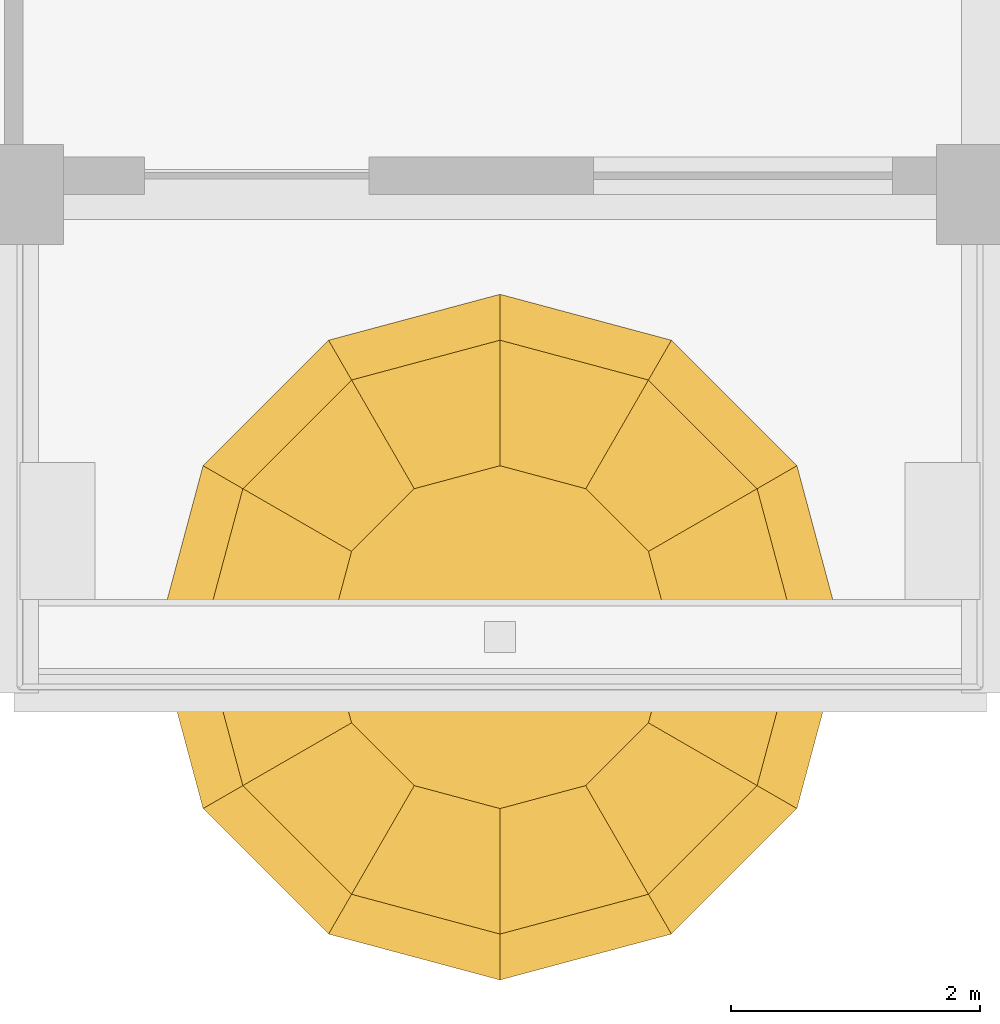
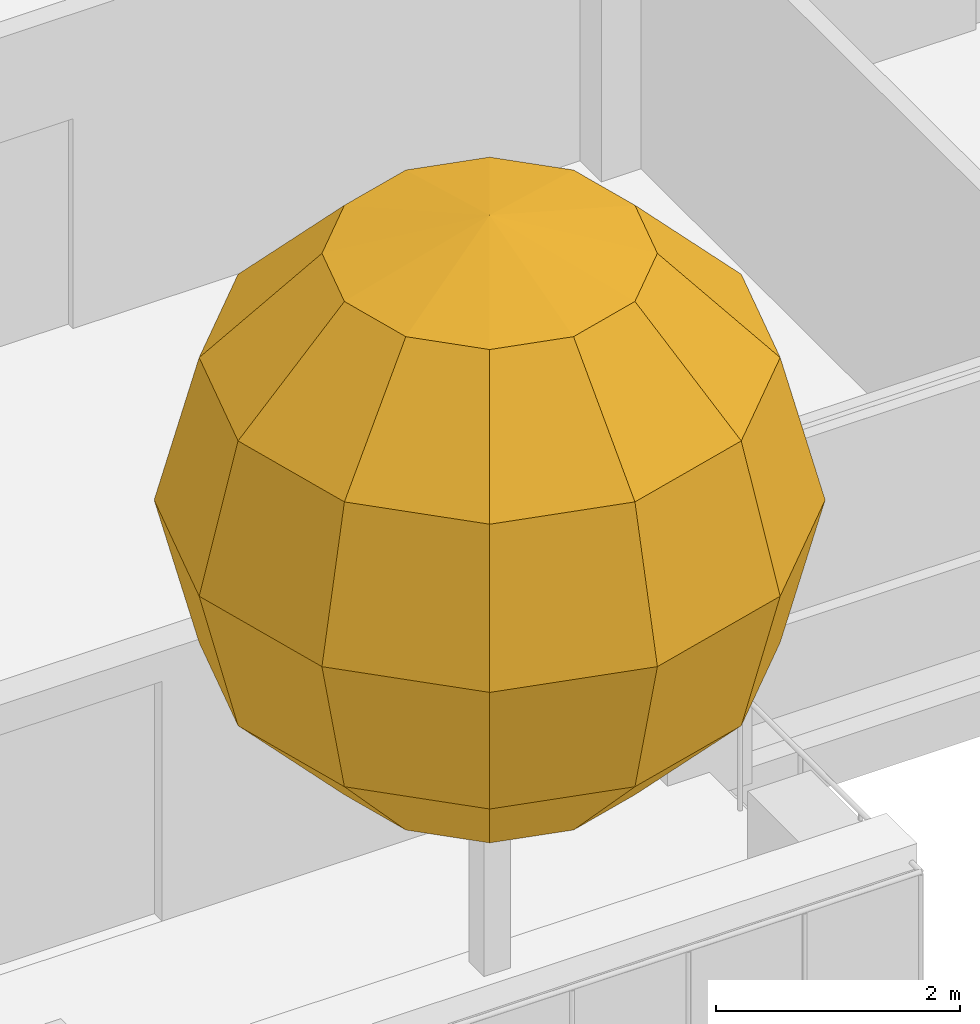
# One storey, part 17 of 17: 1 covering.
"""IFC4 building model written with IfcOpenShell, lengths in metres."""

from ifc_helpers import new_model, si_unit, direction, frame, origin, place, context, subcontext, project, spatial, triangles, material, layer, layer_set, type_object, element, save


model = new_model("IFC4")

# Units and contexts
model_context = context("Model", 3, precision=1e-05, world=origin(), true_north=direction((0.0, 1.0)))
body_context = subcontext(model_context, "Body", "Model", "MODEL_VIEW")
ifc_project = project(units=[si_unit("LENGTHUNIT", "METRE"), si_unit("AREAUNIT", "SQUARE_METRE"), si_unit("VOLUMEUNIT", "CUBIC_METRE"), si_unit("PLANEANGLEUNIT", "RADIAN"), si_unit("MASSUNIT", "GRAM", prefix="KILO")], contexts=[model_context])

# Site, building, storey
site_placement = place(None, origin())
site = spatial("IfcSite", under=ifc_project, at=site_placement, CompositionType="ELEMENT")
building_placement = place(site_placement, origin())
building = spatial("IfcBuilding", under=site, at=building_placement, Name="Ludao Terraces", CompositionType="ELEMENT")
storey_placement = place(building_placement, frame((0.0, 0.0, 231.300048828125)))
storey = spatial("IfcBuildingStorey", under=building, at=storey_placement, Name="L63", CompositionType="ELEMENT", Elevation=231.300048828125)

# Covering
ifc_material = material(Name="Planting")
ifc_layer = layer(ifc_material, 5.5)
ifc_layer_set = layer_set([ifc_layer], Name="ENV Tree crown 5500x5700")
covering_type = type_object("IfcCoveringType", Name="ENV Tree crown 5500x5700", PredefinedType="USERDEFINED", material=ifc_layer_set)
covering_placement = place(storey_placement, frame((77.199951171875, 38.050048828125, 6.0)))
element("IfcCovering", 1, at=covering_placement, inside=storey, type_object=covering_type, Name="Tree crown L63 S1", ObjectType="PLANTING", PredefinedType="USERDEFINED", context=body_context, shape_type="Tessellation", body=[
    triangles([(0.0, 0.0, 2.85009765625), (1.375, 0.0, 2.46826171875), (1.190673828125, 0.6875, 2.46826171875), (0.6875, 1.190673828125, 2.46826171875), (0.0, 1.375, 2.46826171875), (-0.6875, 1.190673828125, 2.46826171875), (-1.190673828125, 0.6875, 2.46826171875), (-1.375, 0.0, 2.46826171875), (-1.190673828125, -0.6875, 2.46826171875), (-0.6875, -1.190673828125, 2.46826171875), (0.0, -1.375, 2.46826171875), (0.6875, -1.190673828125, 2.46826171875), (1.190673828125, -0.6875, 2.46826171875), (2.381591796875, 0.0, 1.425048828125), (2.0625, 1.190673828125, 1.425048828125), (1.190673828125, 2.0625, 1.425048828125), (0.0, 2.381591796875, 1.425048828125), (-1.190673828125, 2.0625, 1.425048828125), (-2.0625, 1.190673828125, 1.425048828125), (-2.381591796875, 0.0, 1.425048828125), (-2.0625, -1.190673828125, 1.425048828125), (-1.190673828125, -2.0625, 1.425048828125), (0.0, -2.381591796875, 1.425048828125), (1.190673828125, -2.0625, 1.425048828125), (2.0625, -1.190673828125, 1.425048828125), (2.75, 0.0, 0.0), (2.381591796875, 1.375, 0.0), (1.375, 2.381591796875, 0.0), (0.0, 2.75, 0.0), (-1.375, 2.381591796875, 0.0), (-2.381591796875, 1.375, 0.0), (-2.75, 0.0, 0.0), (-2.381591796875, -1.375, 0.0), (-1.375, -2.381591796875, 0.0), (0.0, -2.75, 0.0), (1.375, -2.381591796875, 0.0), (2.381591796875, -1.375, 0.0), (2.381591796875, 0.0, -1.425048828125), (2.0625, 1.190673828125, -1.425048828125), (1.190673828125, 2.0625, -1.425048828125), (0.0, 2.381591796875, -1.425048828125), (-1.190673828125, 2.0625, -1.425048828125), (-2.0625, 1.190673828125, -1.425048828125), (-2.381591796875, 0.0, -1.425048828125), (-2.0625, -1.190673828125, -1.425048828125), (-1.190673828125, -2.0625, -1.425048828125), (0.0, -2.381591796875, -1.425048828125), (1.190673828125, -2.0625, -1.425048828125), (2.0625, -1.190673828125, -1.425048828125), (1.375, 0.0, -2.46826171875), (1.190673828125, 0.6875, -2.46826171875), (0.6875, 1.190673828125, -2.46826171875), (0.0, 1.375, -2.46826171875), (-0.6875, 1.190673828125, -2.46826171875), (-1.190673828125, 0.6875, -2.46826171875), (-1.375, 0.0, -2.46826171875), (-1.190673828125, -0.6875, -2.46826171875), (-0.6875, -1.190673828125, -2.46826171875), (0.0, -1.375, -2.46826171875), (0.6875, -1.190673828125, -2.46826171875), (1.190673828125, -0.6875, -2.46826171875), (0.0, 0.0, -2.85009765625)], [[1, 2, 3], [1, 3, 4], [1, 4, 5], [1, 5, 6], [1, 6, 7], [1, 7, 8], [1, 8, 9], [1, 9, 10], [1, 10, 11], [1, 11, 12], [1, 12, 13], [1, 13, 2], [2, 14, 15], [2, 15, 3], [3, 15, 16], [3, 16, 4], [4, 16, 17], [4, 17, 5], [5, 17, 18], [5, 18, 6], [6, 18, 19], [6, 19, 7], [7, 19, 20], [7, 20, 8], [8, 20, 21], [8, 21, 9], [9, 21, 22], [9, 22, 10], [10, 22, 23], [10, 23, 11], [11, 23, 24], [11, 24, 12], [12, 24, 25], [12, 25, 13], [13, 25, 14], [13, 14, 2], [14, 26, 27], [14, 27, 15], [15, 27, 28], [15, 28, 16], [16, 28, 29], [16, 29, 17], [17, 29, 30], [17, 30, 18], [18, 30, 31], [18, 31, 19], [19, 31, 32], [19, 32, 20], [20, 32, 33], [20, 33, 21], [21, 33, 34], [21, 34, 22], [22, 34, 35], [22, 35, 23], [23, 35, 36], [23, 36, 24], [24, 36, 37], [24, 37, 25], [25, 37, 26], [25, 26, 14], [26, 38, 39], [26, 39, 27], [27, 39, 40], [27, 40, 28], [28, 40, 41], [28, 41, 29], [29, 41, 42], [29, 42, 30], [30, 42, 43], [30, 43, 31], [31, 43, 44], [31, 44, 32], [32, 44, 45], [32, 45, 33], [33, 45, 46], [33, 46, 34], [34, 46, 47], [34, 47, 35], [35, 47, 48], [35, 48, 36], [36, 48, 49], [36, 49, 37], [37, 49, 38], [37, 38, 26], [38, 50, 51], [38, 51, 39], [39, 51, 52], [39, 52, 40], [40, 52, 53], [40, 53, 41], [41, 53, 54], [41, 54, 42], [42, 54, 55], [42, 55, 43], [43, 55, 56], [43, 56, 44], [44, 56, 57], [44, 57, 45], [45, 57, 58], [45, 58, 46], [46, 58, 59], [46, 59, 47], [47, 59, 60], [47, 60, 48], [48, 60, 61], [48, 61, 49], [49, 61, 50], [49, 50, 38], [62, 51, 50], [62, 52, 51], [62, 53, 52], [62, 54, 53], [62, 55, 54], [62, 56, 55], [62, 57, 56], [62, 58, 57], [62, 59, 58], [62, 60, 59], [62, 61, 60], [62, 50, 61]], closed=True),
])

save(model, "model.ifc")
